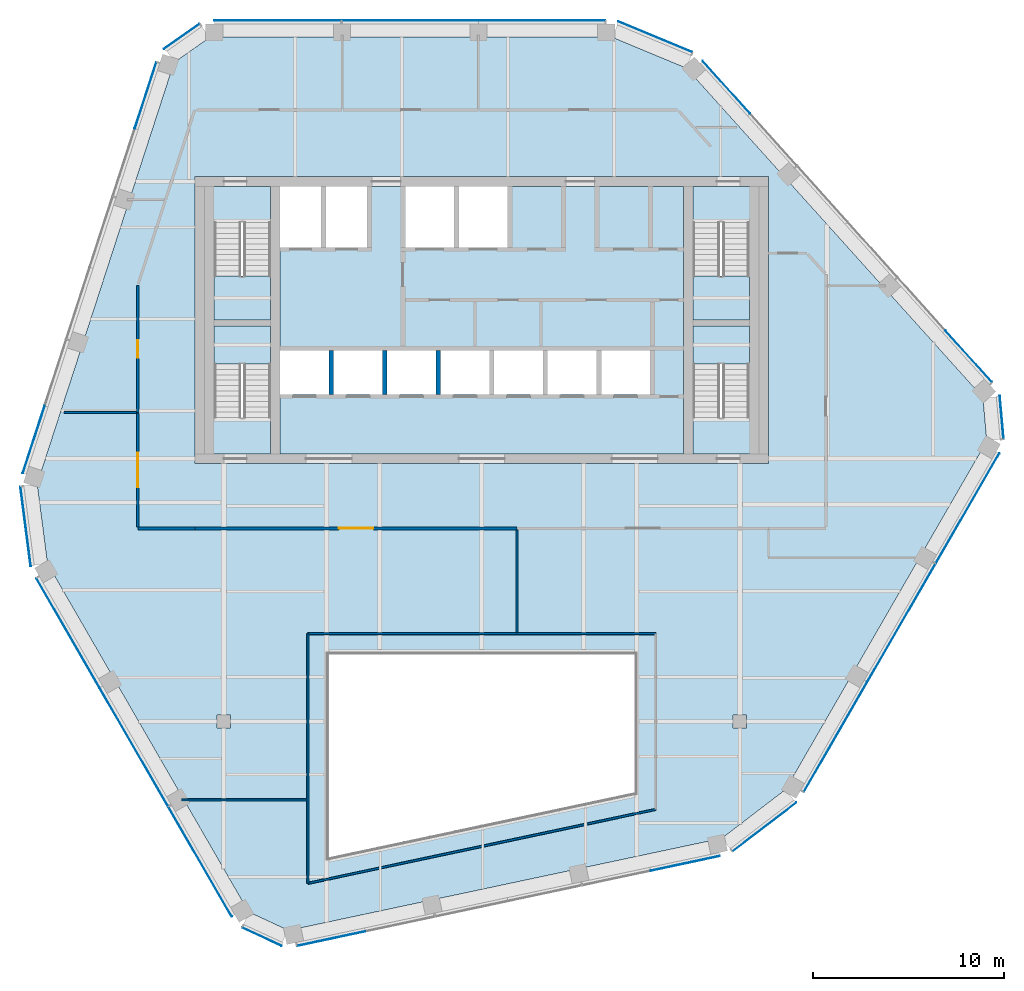
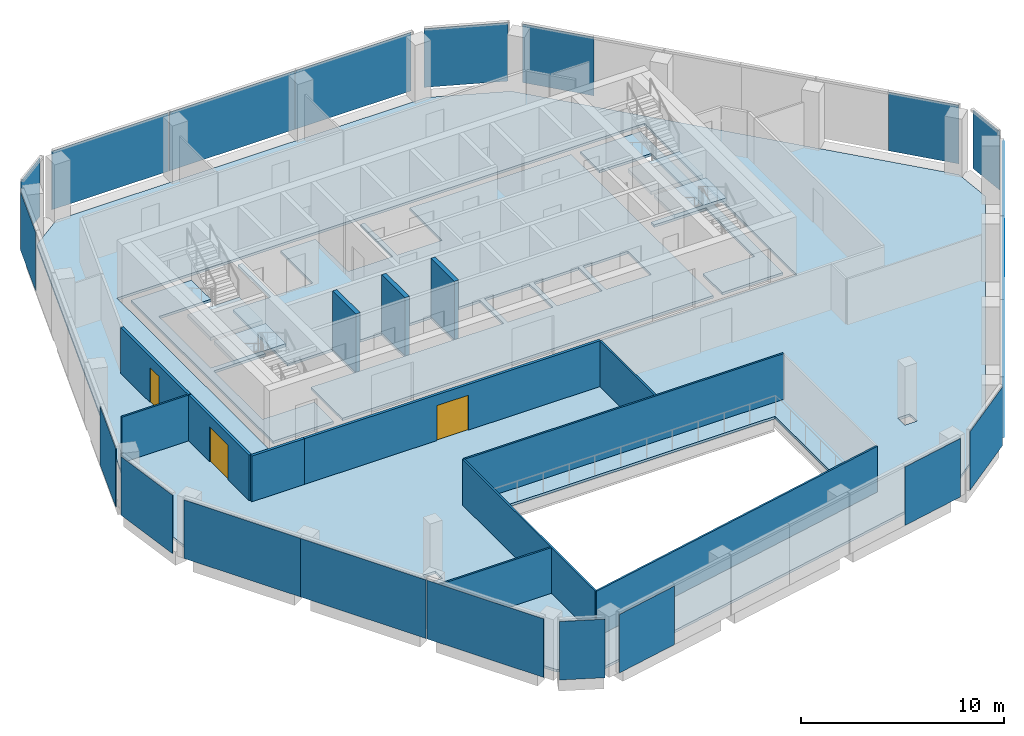
# One storey, part 7 of 15: 21 plates, 13 walls, 8 slabs, 3 doors, 3 openings, 16 elements without a shape of their own.
"""IFC4 building model written with IfcOpenShell, lengths in metres."""

from ifc_helpers import new_model, si_unit, direction, frame, frame_2d, origin, origin_2d, place, context, subcontext, project, spatial, polyline, rectangle, outline, extrude, material, layer, layer_set, type_object, element, fill, aggregate, save


model = new_model("IFC4")

# Units and contexts
model_context = context("Model", 3, precision=1e-05, world=origin(), true_north=direction((0.0, 1.0)))
body_context = subcontext(model_context, "Body", "Model", "MODEL_VIEW")
ifc_project = project(units=[si_unit("LENGTHUNIT", "METRE"), si_unit("AREAUNIT", "SQUARE_METRE"), si_unit("VOLUMEUNIT", "CUBIC_METRE"), si_unit("PLANEANGLEUNIT", "RADIAN"), si_unit("MASSUNIT", "GRAM", prefix="KILO")], contexts=[model_context])

# Site, building, storey
site_placement = place(None, origin())
site = spatial("IfcSite", under=ifc_project, at=site_placement, CompositionType="ELEMENT")
building_placement = place(site_placement, origin())
building = spatial("IfcBuilding", under=site, at=building_placement, Name="Isthmus Gate Tower", CompositionType="ELEMENT")
storey_placement = place(building_placement, frame((0.0, 0.0, 282.85009765625)))
storey = spatial("IfcBuildingStorey", under=building, at=storey_placement, Name="L72", CompositionType="ELEMENT", Elevation=282.85009765625)

# Slabs
ifc_material_1 = material(Name="Concrete f'c 40 MPa", Category="concrete")
ifc_layer_1 = layer(ifc_material_1, 0.14990234375)
ifc_layer_set_1 = layer_set([ifc_layer_1], Name="COMPOSITE FLOOR SLAB 150")
slab_type_1 = type_object("IfcSlabType", Name="COMPOSITE FLOOR SLAB 150", PredefinedType="FLOOR", material=ifc_layer_set_1)
slab_1_placement = place(storey_placement, frame((0.0, 0.0, -0.150146484375)))
element("IfcSlab", 1, at=slab_1_placement, inside=storey, type_object=slab_type_1, Name="str-slab-L72-1", PredefinedType="FLOOR", context=body_context, shape_type="SweptSolid", body=[
    extrude(outline(polyline([(10.7080078125, 20.68310546875), (26.218017578125, 3.45751953125), (26.423583984375, 1.1669921875), (15.902587890625, -17.055908203125), (12.55810546875, -19.614990234375), (-10.11474609375, -24.434326171875), (-12.201171875, -23.467041015625), (-22.72216796875, -5.243896484375), (-23.26611328125, -1.068115234375), (-16.103515625, 20.976806640625), (-14.22265625, 22.300048828125), (6.819580078125, 22.300048828125), (10.7080078125, 20.68310546875)]), holes=[polyline([(-8.0, -10.0), (-8.0, -20.611083984375), (8.0, -17.210205078125), (8.0, -10.0), (-8.0, -10.0)]), polyline([(-13.85009765625, -13.14990234375), (-13.85009765625, -13.85009765625), (-13.14990234375, -13.85009765625), (-13.14990234375, -13.14990234375), (-13.85009765625, -13.14990234375)]), polyline([(13.14990234375, -13.14990234375), (13.14990234375, -13.85009765625), (13.85009765625, -13.85009765625), (13.85009765625, -13.14990234375), (13.14990234375, -13.14990234375)]), polyline([(-15.0, 0.0), (15.0, 0.0), (15.0, 15.0), (-15.0, 15.0), (-15.0, 0.0)])]), origin(), (0.0, 0.0, 1.0), 0.150146484375),
])
ifc_material_2 = material(Name="Concrete f'c 40 MPa", Category="concrete")
ifc_layer_2 = layer(ifc_material_2, 0.14990234375)
ifc_layer_set_2 = layer_set([ifc_layer_2], Name="CORE FLOOR SLAB 150")
slab_type_2 = type_object("IfcSlabType", Name="CORE FLOOR SLAB 150", PredefinedType="FLOOR", material=ifc_layer_set_2)
slab_2_placement = place(storey_placement, frame((0.0, 0.0, -0.150146484375)))
element("IfcSlab", 2, at=slab_2_placement, inside=storey, type_object=slab_type_2, Name="L72 core floor", PredefinedType="FLOOR", context=body_context, shape_type="SweptSolid", body=[
    extrude(outline(polyline([(-11.050048828125, 0.5), (-11.050048828125, 2.402099609375), (-14.0, 2.402099609375), (-14.0, 7.199951171875), (-11.050048828125, 7.199951171875), (-11.050048828125, 7.5), (-14.0, 7.5), (-14.0, 12.597900390625), (-11.050048828125, 12.597900390625), (-11.050048828125, 14.5), (-14.5, 14.5), (-14.5, 0.5), (-11.050048828125, 0.5)])), origin(), (0.0, 0.0, 1.0), 0.150146484375),
])
slab_3_placement = place(storey_placement, frame((0.0, 0.0, -0.150146484375)))
element("IfcSlab", 3, at=slab_3_placement, inside=storey, type_object=slab_type_2, Name="L72 core floor", PredefinedType="FLOOR", context=body_context, shape_type="SweptSolid", body=[
    extrude(outline(polyline([(10.550048828125, 14.5), (1.35009765625, 14.5), (1.35009765625, 11.300048828125), (-1.199951171875, 11.300048828125), (-1.199951171875, 14.5), (-1.449951171875, 14.5), (-1.449951171875, 11.300048828125), (-4.0, 11.300048828125), (-4.0, 14.5), (-6.0, 14.5), (-6.0, 11.300048828125), (-8.14990234375, 11.300048828125), (-8.14990234375, 14.5), (-8.39990234375, 14.5), (-8.39990234375, 11.300048828125), (-10.550048828125, 11.300048828125), (-10.550048828125, 5.89990234375), (-8.0, 5.89990234375), (-8.0, 3.60009765625), (-10.550048828125, 3.60009765625), (-10.550048828125, 0.5), (10.550048828125, 0.5), (10.550048828125, 14.5)]), holes=[polyline([(-5.199951171875, 5.89990234375), (-5.199951171875, 3.60009765625), (-7.75, 3.60009765625), (-7.75, 5.89990234375), (-5.199951171875, 5.89990234375)]), polyline([(-2.39990234375, 5.89990234375), (-2.39990234375, 3.60009765625), (-4.949951171875, 3.60009765625), (-4.949951171875, 5.89990234375), (-2.39990234375, 5.89990234375)]), polyline([(0.39990234375, 5.89990234375), (0.39990234375, 3.60009765625), (-2.14990234375, 3.60009765625), (-2.14990234375, 5.89990234375), (0.39990234375, 5.89990234375)]), polyline([(3.199951171875, 5.89990234375), (3.199951171875, 3.60009765625), (0.64990234375, 3.60009765625), (0.64990234375, 5.89990234375), (3.199951171875, 5.89990234375)]), polyline([(6.0, 5.89990234375), (6.0, 3.60009765625), (3.449951171875, 3.60009765625), (3.449951171875, 5.89990234375), (6.0, 5.89990234375)]), polyline([(8.800048828125, 5.89990234375), (8.800048828125, 3.60009765625), (6.25, 3.60009765625), (6.25, 5.89990234375), (8.800048828125, 5.89990234375)])]), origin(), (0.0, 0.0, 1.0), 0.150146484375),
])
slab_4_placement = place(storey_placement, frame((0.0, 0.0, -0.150146484375)))
element("IfcSlab", 4, at=slab_4_placement, inside=storey, type_object=slab_type_2, Name="L72 core floor", PredefinedType="FLOOR", context=body_context, shape_type="SweptSolid", body=[
    extrude(outline(polyline([(11.050048828125, 14.5), (11.050048828125, 12.597900390625), (14.0, 12.597900390625), (14.0, 7.5), (11.050048828125, 7.5), (11.050048828125, 7.199951171875), (14.0, 7.199951171875), (14.0, 2.402099609375), (11.050048828125, 2.402099609375), (11.050048828125, 0.5), (14.5, 0.5), (14.5, 14.5), (11.050048828125, 14.5)])), origin(), (0.0, 0.0, 1.0), 0.150146484375),
])

# Curtain wall, plates
ifc_material_3 = material(Name="Aluminium, pale champagne anodised", Category="aluminium")
ifc_layer_3 = layer(ifc_material_3, 0.199951171875)
ifc_layer_set_3 = layer_set([ifc_layer_3], Name="CW-1 UNITISED CURTAIN WALL 200 DEEP")
curtain_wall_type = type_object("IfcCurtainWallType", Name="CW-1 UNITISED CURTAIN WALL 200 DEEP", PredefinedType="NOTDEFINED", material=ifc_layer_set_3)
curtain_wall_1_placement = place(storey_placement, origin())
curtain_wall_1 = element("IfcCurtainWall", 5, at=curtain_wall_1_placement, inside=storey, type_object=curtain_wall_type, Name="CW-1 N L72", PredefinedType="NOTDEFINED")
ifc_material_4 = material(Name="Laminated low-iron glass, pale blue tint", Category="glass")
ifc_layer_4 = layer(ifc_material_4, 0.031982421875)
ifc_layer_set_4 = layer_set([ifc_layer_4], Name="CW-1 CLEAR GLASS LITE 32")
plate_type = type_object("IfcPlateType", Name="CW-1 CLEAR GLASS LITE 32", PredefinedType="CURTAIN_PANEL", material=ifc_layer_set_4)
plate_1_placement = place(storey_placement, frame((3.13720703125, 23.18408203125, 0.0), z_axis=(0.0, 0.0, 1.0), x_axis=(-1.0, 0.0, 0.0)))
plate_1 = element("IfcPlate", 6, at=plate_1_placement, type_object=plate_type, Name="CW-1 glass lite", PredefinedType="CURTAIN_PANEL", context=body_context, shape_type="SweptSolid", body=[
    extrude(rectangle(XDim=6.62451171875, YDim=0.031982421875, at=origin_2d()), origin(), (0.0, 0.0, 1.0), 3.52001953125),
])
plate_2_placement = place(storey_placement, frame((-3.742431640625, 23.18408203125, 0.0), z_axis=(0.0, 0.0, 1.0), x_axis=(-1.0, 0.0, 0.0)))
plate_2 = element("IfcPlate", 7, at=plate_2_placement, type_object=plate_type, Name="CW-1 glass lite", PredefinedType="CURTAIN_PANEL", context=body_context, shape_type="SweptSolid", body=[
    extrude(rectangle(XDim=7.134521484375, YDim=0.031982421875, at=origin_2d()), origin(), (0.0, 0.0, 1.0), 3.52001953125),
])
plate_3_placement = place(storey_placement, frame((-10.681884765625, 23.18408203125, 0.0), z_axis=(0.0, 0.0, 1.0), x_axis=(-1.0, 0.0, 0.0)))
plate_3 = element("IfcPlate", 8, at=plate_3_placement, type_object=plate_type, Name="CW-1 glass lite", PredefinedType="CURTAIN_PANEL", context=body_context, shape_type="SweptSolid", body=[
    extrude(rectangle(XDim=6.62451171875, YDim=0.031982421875, at=origin_2d()), origin(), (0.0, 0.0, 1.0), 3.52001953125),
])
aggregate(curtain_wall_1, [plate_1, plate_2, plate_3])

# Curtain wall, plate
curtain_wall_2_placement = place(storey_placement, origin())
curtain_wall_2 = element("IfcCurtainWall", 9, at=curtain_wall_2_placement, inside=storey, type_object=curtain_wall_type, Name="CW-1 N-NW L72", PredefinedType="NOTDEFINED")
plate_4_placement = place(storey_placement, frame((-15.6953125, 22.3447265625, 0.0), z_axis=(0.0, 0.0, 1.0), x_axis=(-0.81785959165, -0.57541783805, 0.0)))
plate_4 = element("IfcPlate", 10, at=plate_4_placement, type_object=plate_type, Name="CW-1 glass lite", PredefinedType="CURTAIN_PANEL", context=body_context, shape_type="SweptSolid", body=[
    extrude(rectangle(XDim=2.258544921875, YDim=0.031982421875, at=origin_2d()), origin(), (0.0, 0.0, 1.0), 3.52001953125),
])
aggregate(curtain_wall_2, [plate_4])

# Curtain wall, plates
curtain_wall_3_placement = place(storey_placement, origin())
curtain_wall_3 = element("IfcCurtainWall", 11, at=curtain_wall_3_placement, inside=storey, type_object=curtain_wall_type, Name="CW-1 NW L72", PredefinedType="NOTDEFINED")
plate_5_placement = place(storey_placement, frame((-17.592529296875, 19.254150390625, 0.0), z_axis=(0.0, 0.0, 1.0), x_axis=(-0.309016994375, -0.951056516295, 0.0)))
plate_5 = element("IfcPlate", 12, at=plate_5_placement, type_object=plate_type, Name="CW-1 glass lite", PredefinedType="CURTAIN_PANEL", context=body_context, shape_type="SweptSolid", body=[
    extrude(rectangle(XDim=3.643310546875, YDim=0.031982421875, at=origin_2d()), origin(), (0.0, 0.0, 1.0), 3.52001953125),
])
plate_6_placement = place(storey_placement, frame((-23.4443359375, 1.244140625, 0.0), z_axis=(0.0, 0.0, 1.0), x_axis=(-0.309016994375, -0.951056516295, 0.0)))
plate_6 = element("IfcPlate", 13, at=plate_6_placement, type_object=plate_type, Name="CW-1 glass lite", PredefinedType="CURTAIN_PANEL", context=body_context, shape_type="SweptSolid", body=[
    extrude(rectangle(XDim=3.703369140625, YDim=0.031982421875, at=origin_2d()), origin(), (0.0, 0.0, 1.0), 3.52001953125),
])
aggregate(curtain_wall_3, [plate_5, plate_6])

# Curtain wall, plate
curtain_wall_4_placement = place(storey_placement, origin())
curtain_wall_4 = element("IfcCurtainWall", 14, at=curtain_wall_4_placement, inside=storey, type_object=curtain_wall_type, Name="CW-1 NW-SW L72", PredefinedType="NOTDEFINED")
plate_7_placement = place(storey_placement, frame((-23.866943359375, -3.2998046875, 0.0), z_axis=(0.0, 0.0, 1.0), x_axis=(0.129164534, -0.991623175988, 0.0)))
plate_7 = element("IfcPlate", 15, at=plate_7_placement, type_object=plate_type, Name="CW-1 glass lite", PredefinedType="CURTAIN_PANEL", context=body_context, shape_type="SweptSolid", body=[
    extrude(rectangle(XDim=4.181396484375, YDim=0.031982421875, at=origin_2d()), origin(), (0.0, 0.0, 1.0), 3.52001953125),
])
aggregate(curtain_wall_4, [plate_7])

# Curtain wall, plates
curtain_wall_5_placement = place(storey_placement, origin())
curtain_wall_5 = element("IfcCurtainWall", 16, at=curtain_wall_5_placement, inside=storey, type_object=curtain_wall_type, Name="CW-1 SW L72", PredefinedType="NOTDEFINED")
plate_8_placement = place(storey_placement, frame((-21.646484375, -8.875244140625, 0.0), z_axis=(0.0, 0.0, 1.0), x_axis=(0.5, -0.866025403784, 0.0)))
plate_8 = element("IfcPlate", 17, at=plate_8_placement, type_object=plate_type, Name="CW-1 glass lite", PredefinedType="CURTAIN_PANEL", context=body_context, shape_type="SweptSolid", body=[
    extrude(rectangle(XDim=6.62451171875, YDim=0.031982421875, at=origin_2d()), origin(), (0.0, 0.0, 1.0), 3.52001953125),
])
plate_9_placement = place(storey_placement, frame((-18.206787109375, -14.8330078125, 0.0), z_axis=(0.0, 0.0, 1.0), x_axis=(0.5, -0.866025403784, 0.0)))
plate_9 = element("IfcPlate", 18, at=plate_9_placement, type_object=plate_type, Name="CW-1 glass lite", PredefinedType="CURTAIN_PANEL", context=body_context, shape_type="SweptSolid", body=[
    extrude(rectangle(XDim=7.134521484375, YDim=0.031982421875, at=origin_2d()), origin(), (0.0, 0.0, 1.0), 3.52001953125),
])
plate_10_placement = place(storey_placement, frame((-14.737060546875, -20.8427734375, 0.0), z_axis=(0.0, 0.0, 1.0), x_axis=(0.5, -0.866025403784, 0.0)))
plate_10 = element("IfcPlate", 19, at=plate_10_placement, type_object=plate_type, Name="CW-1 glass lite", PredefinedType="CURTAIN_PANEL", context=body_context, shape_type="SweptSolid", body=[
    extrude(rectangle(XDim=6.62451171875, YDim=0.031982421875, at=origin_2d()), origin(), (0.0, 0.0, 1.0), 3.52001953125),
])
aggregate(curtain_wall_5, [plate_8, plate_9, plate_10])

# Curtain wall, plate
curtain_wall_6_placement = place(storey_placement, origin())
curtain_wall_6 = element("IfcCurtainWall", 20, at=curtain_wall_6_placement, inside=storey, type_object=curtain_wall_type, Name="CW-1 SW-S L72", PredefinedType="NOTDEFINED")
plate_11_placement = place(storey_placement, frame((-11.50341796875, -24.764892578125, 0.0), z_axis=(0.0, 0.0, 1.0), x_axis=(0.907256261367, -0.420578264073, 0.0)))
plate_11 = element("IfcPlate", 21, at=plate_11_placement, type_object=plate_type, Name="CW-1 glass lite", PredefinedType="CURTAIN_PANEL", context=body_context, shape_type="SweptSolid", body=[
    extrude(rectangle(XDim=2.258544921875, YDim=0.031982421875, at=origin_2d()), origin(), (0.0, 0.0, 1.0), 3.52001953125),
])
aggregate(curtain_wall_6, [plate_11])

# Curtain wall, plates
curtain_wall_7_placement = place(storey_placement, origin())
curtain_wall_7 = element("IfcCurtainWall", 22, at=curtain_wall_7_placement, inside=storey, type_object=curtain_wall_type, Name="CW-1 S L72", PredefinedType="NOTDEFINED")
plate_12_placement = place(storey_placement, frame((-7.87841796875, -24.86279296875, 0.0), z_axis=(0.0, 0.0, 1.0), x_axis=(0.978147600734, 0.207911690818, 0.0)))
plate_12 = element("IfcPlate", 23, at=plate_12_placement, type_object=plate_type, Name="CW-1 glass lite", PredefinedType="CURTAIN_PANEL", context=body_context, shape_type="SweptSolid", body=[
    extrude(rectangle(XDim=3.643310546875, YDim=0.031982421875, at=origin_2d()), origin(), (0.0, 0.0, 1.0), 3.52001953125),
])
plate_13_placement = place(storey_placement, frame((10.644775390625, -20.925537109375, 0.0), z_axis=(0.0, 0.0, 1.0), x_axis=(0.978147600734, 0.207911690818, 0.0)))
plate_13 = element("IfcPlate", 24, at=plate_13_placement, type_object=plate_type, Name="CW-1 glass lite", PredefinedType="CURTAIN_PANEL", context=body_context, shape_type="SweptSolid", body=[
    extrude(rectangle(XDim=3.703369140625, YDim=0.031982421875, at=origin_2d()), origin(), (0.0, 0.0, 1.0), 3.52001953125),
])
aggregate(curtain_wall_7, [plate_12, plate_13])

# Curtain wall, plate
curtain_wall_8_placement = place(storey_placement, origin())
curtain_wall_8 = element("IfcCurtainWall", 25, at=curtain_wall_8_placement, inside=storey, type_object=curtain_wall_type, Name="CW-1 S-SE L72", PredefinedType="NOTDEFINED")
plate_14_placement = place(storey_placement, frame((14.791259765625, -19.01953125, 0.0), z_axis=(0.0, 0.0, 1.0), x_axis=(0.794188594387, 0.607671355706, 0.0)))
plate_14 = element("IfcPlate", 26, at=plate_14_placement, type_object=plate_type, Name="CW-1 glass lite", PredefinedType="CURTAIN_PANEL", context=body_context, shape_type="SweptSolid", body=[
    extrude(rectangle(XDim=4.181396484375, YDim=0.031982421875, at=origin_2d()), origin(), (0.0, 0.0, 1.0), 3.52001953125),
])
aggregate(curtain_wall_8, [plate_14])

# Curtain wall, plates
curtain_wall_9_placement = place(storey_placement, origin())
curtain_wall_9 = element("IfcCurtainWall", 27, at=curtain_wall_9_placement, inside=storey, type_object=curtain_wall_type, Name="CW-1 SE L72", PredefinedType="NOTDEFINED")
plate_15_placement = place(storey_placement, frame((18.50927734375, -14.308837890625, 0.0), z_axis=(0.0, 0.0, 1.0), x_axis=(0.5, 0.866025403784, 0.0)))
plate_15 = element("IfcPlate", 28, at=plate_15_placement, type_object=plate_type, Name="CW-1 glass lite", PredefinedType="CURTAIN_PANEL", context=body_context, shape_type="SweptSolid", body=[
    extrude(rectangle(XDim=6.62451171875, YDim=0.031982421875, at=origin_2d()), origin(), (0.0, 0.0, 1.0), 3.52001953125),
])
plate_16_placement = place(storey_placement, frame((21.94921875, -8.35107421875, 0.0), z_axis=(0.0, 0.0, 1.0), x_axis=(0.5, 0.866025403784, 0.0)))
plate_16 = element("IfcPlate", 29, at=plate_16_placement, type_object=plate_type, Name="CW-1 glass lite", PredefinedType="CURTAIN_PANEL", context=body_context, shape_type="SweptSolid", body=[
    extrude(rectangle(XDim=7.134521484375, YDim=0.031982421875, at=origin_2d()), origin(), (0.0, 0.0, 1.0), 3.52001953125),
])
plate_17_placement = place(storey_placement, frame((25.4189453125, -2.34130859375, 0.0), z_axis=(0.0, 0.0, 1.0), x_axis=(0.5, 0.866025403784, 0.0)))
plate_17 = element("IfcPlate", 30, at=plate_17_placement, type_object=plate_type, Name="CW-1 glass lite", PredefinedType="CURTAIN_PANEL", context=body_context, shape_type="SweptSolid", body=[
    extrude(rectangle(XDim=6.62451171875, YDim=0.031982421875, at=origin_2d()), origin(), (0.0, 0.0, 1.0), 3.52001953125),
])
aggregate(curtain_wall_9, [plate_15, plate_16, plate_17])

# Curtain wall, plate
curtain_wall_10_placement = place(storey_placement, origin())
curtain_wall_10 = element("IfcCurtainWall", 31, at=curtain_wall_10_placement, inside=storey, type_object=curtain_wall_type, Name="CW-1 SE-NE L72", PredefinedType="NOTDEFINED")
plate_18_placement = place(storey_placement, frame((27.19873046875, 2.420166015625, 0.0), z_axis=(0.0, 0.0, 1.0), x_axis=(-0.089396669717, 0.995996102123, 0.0)))
plate_18 = element("IfcPlate", 32, at=plate_18_placement, type_object=plate_type, Name="CW-1 glass lite", PredefinedType="CURTAIN_PANEL", context=body_context, shape_type="SweptSolid", body=[
    extrude(rectangle(XDim=2.258544921875, YDim=0.031982421875, at=origin_2d()), origin(), (0.0, 0.0, 1.0), 3.52001953125),
])
aggregate(curtain_wall_10, [plate_18])

# Curtain wall, plates
curtain_wall_11_placement = place(storey_placement, origin())
curtain_wall_11 = element("IfcCurtainWall", 33, at=curtain_wall_11_placement, inside=storey, type_object=curtain_wall_type, Name="CW-1 NE L72", PredefinedType="NOTDEFINED")
plate_19_placement = place(storey_placement, frame((25.470947265625, 5.6083984375, 0.0), z_axis=(0.0, 0.0, 1.0), x_axis=(-0.669130606359, 0.743144825477, 0.0)))
plate_19 = element("IfcPlate", 34, at=plate_19_placement, type_object=plate_type, Name="CW-1 glass lite", PredefinedType="CURTAIN_PANEL", context=body_context, shape_type="SweptSolid", body=[
    extrude(rectangle(XDim=3.643310546875, YDim=0.031982421875, at=origin_2d()), origin(), (0.0, 0.0, 1.0), 3.52001953125),
])
plate_20_placement = place(storey_placement, frame((12.799560546875, 19.681396484375, 0.0), z_axis=(0.0, 0.0, 1.0), x_axis=(-0.669130606359, 0.743144825477, 0.0)))
plate_20 = element("IfcPlate", 35, at=plate_20_placement, type_object=plate_type, Name="CW-1 glass lite", PredefinedType="CURTAIN_PANEL", context=body_context, shape_type="SweptSolid", body=[
    extrude(rectangle(XDim=3.703369140625, YDim=0.031982421875, at=origin_2d()), origin(), (0.0, 0.0, 1.0), 3.52001953125),
])
aggregate(curtain_wall_11, [plate_19, plate_20])

# Curtain wall, plate
curtain_wall_12_placement = place(storey_placement, origin())
curtain_wall_12 = element("IfcCurtainWall", 36, at=curtain_wall_12_placement, inside=storey, type_object=curtain_wall_type, Name="CW-1 NE-N L72", PredefinedType="NOTDEFINED")
plate_21_placement = place(storey_placement, frame((9.07568359375, 22.3193359375, 0.0), z_axis=(0.0, 0.0, 1.0), x_axis=(-0.923353128387, 0.383951820282, 0.0)))
plate_21 = element("IfcPlate", 37, at=plate_21_placement, type_object=plate_type, Name="CW-1 glass lite", PredefinedType="CURTAIN_PANEL", context=body_context, shape_type="SweptSolid", body=[
    extrude(rectangle(XDim=4.181396484375, YDim=0.031982421875, at=origin_2d()), origin(), (0.0, 0.0, 1.0), 3.52001953125),
])
aggregate(curtain_wall_12, [plate_21])

# Stair, slab
ifc_material_5 = material(Name="Concrete f'c 40 MPa", Category="concrete")
stair_type = type_object("IfcStairType", Name="CORE STAIR 22 RISERS", PredefinedType="HALF_TURN_STAIR", material=ifc_material_5)
stair_1_placement = place(storey_placement, origin())
stair_1 = element("IfcStair", 38, at=stair_1_placement, inside=storey, type_object=stair_type, Name="L72 Exit Stair 1", PredefinedType="HALF_TURN_STAIR")
ifc_material_6 = material(Name="Concrete f'c 40 MPa", Category="concrete")
ifc_layer_5 = layer(ifc_material_6, 0.199951171875)
ifc_layer_set_5 = layer_set([ifc_layer_5])
slab_type_3 = type_object("IfcSlabType", Name="STAIR LANDING RC 200", PredefinedType="LANDING", material=ifc_layer_set_5)
slab_5_placement = place(storey_placement, frame((0.0, 0.0, 1.625)))
slab_5 = element("IfcSlab", 39, at=slab_5_placement, type_object=slab_type_3, Name="ST1 landing 1", PredefinedType="LANDING", context=body_context, shape_type="SweptSolid", body=[
    extrude(outline(polyline([(-14.0, 9.800048828125), (-14.0, 7.5), (-11.050048828125, 7.5), (-11.050048828125, 9.800048828125), (-14.0, 9.800048828125)])), origin(), (0.0, 0.0, 1.0), 0.199951171875),
])
aggregate(stair_1, [slab_5])

stair_2_placement = place(storey_placement, origin())
stair_2 = element("IfcStair", 40, at=stair_2_placement, inside=storey, type_object=stair_type, Name="L72 Exit Stair 2", PredefinedType="HALF_TURN_STAIR")
slab_6_placement = place(storey_placement, frame((0.0, 0.0, 1.625)))
slab_6 = element("IfcSlab", 41, at=slab_6_placement, type_object=slab_type_3, Name="ST2 landing 1", PredefinedType="LANDING", context=body_context, shape_type="SweptSolid", body=[
    extrude(outline(polyline([(11.050048828125, 9.800048828125), (11.050048828125, 7.5), (14.0, 7.5), (14.0, 9.800048828125), (11.050048828125, 9.800048828125)])), origin(), (0.0, 0.0, 1.0), 0.199951171875),
])
aggregate(stair_2, [slab_6])

stair_3_placement = place(storey_placement, origin())
stair_3 = element("IfcStair", 42, at=stair_3_placement, inside=storey, type_object=stair_type, Name="L72 Exit Stair 7", PredefinedType="HALF_TURN_STAIR")
slab_7_placement = place(storey_placement, frame((0.0, 0.0, 1.625)))
slab_7 = element("IfcSlab", 43, at=slab_7_placement, type_object=slab_type_3, Name="ST7 landing 1", PredefinedType="LANDING", context=body_context, shape_type="SweptSolid", body=[
    extrude(outline(polyline([(-11.050048828125, 5.199951171875), (-11.050048828125, 7.199951171875), (-14.0, 7.199951171875), (-14.0, 5.199951171875), (-11.050048828125, 5.199951171875)])), origin(), (0.0, 0.0, 1.0), 0.199951171875),
])
aggregate(stair_3, [slab_7])

stair_4_placement = place(storey_placement, origin())
stair_4 = element("IfcStair", 44, at=stair_4_placement, inside=storey, type_object=stair_type, Name="L72 Exit Stair 8", PredefinedType="HALF_TURN_STAIR")
slab_8_placement = place(storey_placement, frame((0.0, 0.0, 1.625)))
slab_8 = element("IfcSlab", 45, at=slab_8_placement, type_object=slab_type_3, Name="ST8 landing 1", PredefinedType="LANDING", context=body_context, shape_type="SweptSolid", body=[
    extrude(outline(polyline([(14.0, 5.199951171875), (14.0, 7.199951171875), (11.050048828125, 7.199951171875), (11.050048828125, 5.199951171875), (14.0, 5.199951171875)])), origin(), (0.0, 0.0, 1.0), 0.199951171875),
])
aggregate(stair_4, [slab_8])

# Walls
ifc_material_7 = material(Name="Fire-rated laminated glass in steel frame", Category="steel")
ifc_layer_6 = layer(ifc_material_7, 0.10009765625)
ifc_layer_set_6 = layer_set([ifc_layer_6], Name="ATRIUM SCREEN GLAZED WALL 100 120 MIN")
wall_type_1 = type_object("IfcWallType", Name="ATRIUM SCREEN GLAZED WALL 100 120 MIN", PredefinedType="PARTITIONING", material=ifc_layer_set_6)
wall_1_placement = place(storey_placement, frame((-9.10009765625, -8.89990234375, 0.0), z_axis=(0.0, 0.0, 1.0), x_axis=(1.0, 0.0, 0.0)))
element("IfcWall", 46, at=wall_1_placement, inside=storey, type_object=wall_type_1, Name="L72 atrium screen", PredefinedType="PARTITIONING", context=body_context, shape_type="SweptSolid", body=[
    extrude(rectangle(XDim=18.2001953125, YDim=0.10009765625, at=frame_2d((9.10009765625, 0.0))), origin(), (0.0, 0.0, 1.0), 2.75048828125),
])
wall_2_placement = place(storey_placement, frame((9.10009765625, -18.100830078125, 0.0), z_axis=(0.0, 0.0, 1.0), x_axis=(-0.978146710971, -0.207915876778, 0.0)))
element("IfcWall", 47, at=wall_2_placement, inside=storey, type_object=wall_type_1, Name="L72 atrium screen", PredefinedType="PARTITIONING", context=body_context, shape_type="SweptSolid", body=[
    extrude(rectangle(XDim=18.60693359375, YDim=0.10009765625, at=frame_2d((9.303466796875, 0.0))), origin(), (0.0, 0.0, 1.0), 2.75048828125),
])
wall_3_placement = place(storey_placement, frame((-9.10009765625, -21.969482421875, 0.0), z_axis=(0.0, 0.0, 1.0), x_axis=(0.0, 1.0, 0.0)))
element("IfcWall", 48, at=wall_3_placement, inside=storey, type_object=wall_type_1, Name="L72 atrium screen", PredefinedType="PARTITIONING", context=body_context, shape_type="SweptSolid", body=[
    extrude(rectangle(XDim=13.069580078125, YDim=0.10009765625, at=frame_2d((6.53466796875, 0.0))), origin(), (0.0, 0.0, 1.0), 2.75048828125),
])

# Wall, opening, door
ifc_material_8 = material(Name="Gypsum board on steel studs, fire-rated", Category="steel")
ifc_layer_7 = layer(ifc_material_8, 0.14990234375)
ifc_layer_set_7 = layer_set([ifc_layer_7], Name="CORRIDOR WALL 150 60 MIN")
wall_type_2 = type_object("IfcWallType", Name="CORRIDOR WALL 150 60 MIN", PredefinedType="PARTITIONING", material=ifc_layer_set_7)
wall_4_placement = place(storey_placement, frame((1.843994140625, -3.39990234375, 0.0), z_axis=(0.0, 0.0, 1.0), x_axis=(-1.0, 0.0, 0.0)))
wall_4 = element("IfcWall", 49, at=wall_4_placement, inside=storey, type_object=wall_type_2, Name="L72 Corridor Wall 150 60 Min", PredefinedType="PARTITIONING", context=body_context, shape_type="SweptSolid", body=[
    extrude(rectangle(XDim=16.843994140625, YDim=0.14990234375, at=frame_2d((8.421875, 0.0))), origin(), (0.0, 0.0, 1.0), 2.75048828125),
])
opening_1_placement = place(wall_4_placement, frame((7.52197265625, 0.0, 0.0)))
opening_1 = element("IfcOpeningElement", 50, at=opening_1_placement, cuts=wall_4, Name="Opening DT-T6C-07", PredefinedType="OPENING", context=body_context, shape_type="SweptSolid", body=[
    extrude(rectangle(XDim=1.800048828125, YDim=2.10009765625, at=frame_2d((0.89990234375, 1.050048828125))), frame((0.0, 0.0849609375, 0.0), z_axis=(0.0, -1.0, 0.0), x_axis=(1.0, 0.0, 0.0)), (0.0, 0.0, 1.0), 0.169921875),
])
ifc_material_9 = material(Name="Solid core timber door leaf, fire-rated", Category="wood")
door_type_1 = type_object("IfcDoorType", Name="FIRE DOOR ROOM 1800 X 2100 60 MIN", OperationType="DOUBLE_DOOR_DOUBLE_SWING", PredefinedType="DOOR", material=ifc_material_9)
door_1_placement = place(opening_1_placement, origin())
door_1 = element("IfcDoor", 51, at=door_1_placement, inside=storey, type_object=door_type_1, Name="L72 room door", OperationType="DOUBLE_DOOR_DOUBLE_SWING", OverallHeight=2.10009765625, OverallWidth=1.800048828125, PredefinedType="DOOR", context=body_context, shape_type="SweptSolid", body=[
    extrude(rectangle(XDim=1.800048828125, YDim=2.10009765625, at=frame_2d((0.89990234375, 1.050048828125))), frame((0.0, 0.02490234375, 0.0), z_axis=(0.0, -1.0, 0.0), x_axis=(1.0, 0.0, 0.0)), (0.0, 0.0, 1.0), 0.050048828125),
])
fill(opening_1, door_1)

# Wall
wall_5_placement = place(storey_placement, frame((-15.0, -3.39990234375, 0.0), z_axis=(0.0, 0.0, 1.0), x_axis=(-1.0, 0.0, 0.0)))
element("IfcWall", 52, at=wall_5_placement, inside=storey, type_object=wall_type_2, Name="L72 Corridor Wall 150 60 Min", PredefinedType="PARTITIONING", context=body_context, shape_type="SweptSolid", body=[
    extrude(rectangle(XDim=3.0, YDim=0.14990234375, at=frame_2d((1.5, 0.0))), origin(), (0.0, 0.0, 1.0), 2.75048828125),
])

# Wall, opening, door
wall_6_placement = place(storey_placement, frame((-18.0, 2.669921875, 0.0), z_axis=(0.0, 0.0, 1.0), x_axis=(0.0, 1.0, 0.0)))
wall_6 = element("IfcWall", 53, at=wall_6_placement, inside=storey, type_object=wall_type_2, Name="L72 Corridor Wall 150 60 Min", PredefinedType="PARTITIONING", context=body_context, shape_type="SweptSolid", body=[
    extrude(rectangle(XDim=6.64501953125, YDim=0.14990234375, at=frame_2d((3.322509765625, 0.0))), origin(), (0.0, 0.0, 1.0), 2.75048828125),
])
opening_2_placement = place(wall_6_placement, frame((2.87255859375, 0.0, 0.0)))
opening_2 = element("IfcOpeningElement", 54, at=opening_2_placement, cuts=wall_6, Name="Opening DT-T6C-05", PredefinedType="OPENING", context=body_context, shape_type="SweptSolid", body=[
    extrude(rectangle(XDim=0.89990234375, YDim=2.10009765625, at=frame_2d((0.449951171875, 1.050048828125))), frame((0.0, 0.0849609375, 0.0), z_axis=(0.0, -1.0, 0.0), x_axis=(1.0, 0.0, 0.0)), (0.0, 0.0, 1.0), 0.169921875),
])
ifc_material_10 = material(Name="Solid core timber door leaf, fire-rated", Category="wood")
door_type_2 = type_object("IfcDoorType", Name="FIRE DOOR ROOM 900 X 2100 60 MIN", OperationType="SINGLE_SWING_LEFT", PredefinedType="DOOR", material=ifc_material_10)
door_2_placement = place(opening_2_placement, origin())
door_2 = element("IfcDoor", 55, at=door_2_placement, inside=storey, type_object=door_type_2, Name="L72 room door", OperationType="SINGLE_SWING_RIGHT", OverallHeight=2.10009765625, OverallWidth=0.89990234375, PredefinedType="DOOR", context=body_context, shape_type="SweptSolid", body=[
    extrude(rectangle(XDim=0.89990234375, YDim=2.10009765625, at=frame_2d((0.449951171875, 1.050048828125))), frame((0.0, 0.02490234375, 0.0), z_axis=(0.0, -1.0, 0.0), x_axis=(1.0, 0.0, 0.0)), (0.0, 0.0, 1.0), 0.050048828125),
])
fill(opening_2, door_2)

wall_7_placement = place(storey_placement, frame((-18.0, -3.324951171875, 0.0), z_axis=(0.0, 0.0, 1.0), x_axis=(0.0, 1.0, 0.0)))
wall_7 = element("IfcWall", 56, at=wall_7_placement, inside=storey, type_object=wall_type_2, Name="L72 Corridor Wall 150 60 Min", PredefinedType="PARTITIONING", context=body_context, shape_type="SweptSolid", body=[
    extrude(rectangle(XDim=5.945068359375, YDim=0.14990234375, at=frame_2d((2.97265625, 0.0))), origin(), (0.0, 0.0, 1.0), 2.75048828125),
])
opening_3_placement = place(wall_7_placement, frame((2.072509765625, 0.0, 0.0)))
opening_3 = element("IfcOpeningElement", 57, at=opening_3_placement, cuts=wall_7, Name="Opening DT-T6C-08", PredefinedType="OPENING", context=body_context, shape_type="SweptSolid", body=[
    extrude(rectangle(XDim=1.800048828125, YDim=2.10009765625, at=frame_2d((0.89990234375, 1.050048828125))), frame((0.0, 0.0849609375, 0.0), z_axis=(0.0, -1.0, 0.0), x_axis=(1.0, 0.0, 0.0)), (0.0, 0.0, 1.0), 0.169921875),
])
door_3_placement = place(opening_3_placement, origin())
door_3 = element("IfcDoor", 58, at=door_3_placement, inside=storey, type_object=door_type_1, Name="L72 room door", OperationType="DOUBLE_DOOR_DOUBLE_SWING", OverallHeight=2.10009765625, OverallWidth=1.800048828125, PredefinedType="DOOR", context=body_context, shape_type="SweptSolid", body=[
    extrude(rectangle(XDim=1.800048828125, YDim=2.10009765625, at=frame_2d((0.89990234375, 1.050048828125))), frame((0.0, 0.02490234375, 0.0), z_axis=(0.0, -1.0, 0.0), x_axis=(1.0, 0.0, 0.0)), (0.0, 0.0, 1.0), 0.050048828125),
])
fill(opening_3, door_3)

# Walls
ifc_material_11 = material(Name="Gypsum board on steel studs, fire-rated", Category="steel")
ifc_layer_8 = layer(ifc_material_11, 0.10009765625)
ifc_layer_set_8 = layer_set([ifc_layer_8], Name="ROOM PARTITION 100 30 MIN")
wall_type_3 = type_object("IfcWallType", Name="ROOM PARTITION 100 30 MIN", PredefinedType="PARTITIONING", material=ifc_layer_set_8)
wall_8_placement = place(storey_placement, frame((-21.85693359375, 2.669921875, 0.0), z_axis=(0.0, 0.0, 1.0), x_axis=(1.0, 0.0, 0.0)))
element("IfcWall", 59, at=wall_8_placement, inside=storey, type_object=wall_type_3, Name="L72 Room Partition 100 30 Min", PredefinedType="PARTITIONING", context=body_context, shape_type="SweptSolid", body=[
    extrude(rectangle(XDim=3.781982421875, YDim=0.10009765625, at=frame_2d((1.89111328125, 0.0))), origin(), (0.0, 0.0, 1.0), 2.75048828125),
])
wall_9_placement = place(storey_placement, frame((-15.700927734375, -17.60498046875, 0.0), z_axis=(0.0, 0.0, 1.0), x_axis=(1.0, 0.0, 0.0)))
element("IfcWall", 60, at=wall_9_placement, inside=storey, type_object=wall_type_3, Name="L72 Room Partition 100 30 Min", PredefinedType="PARTITIONING", context=body_context, shape_type="SweptSolid", body=[
    extrude(rectangle(XDim=6.551025390625, YDim=0.10009765625, at=frame_2d((3.275390625, 0.0))), origin(), (0.0, 0.0, 1.0), 2.75048828125),
])
wall_10_placement = place(storey_placement, frame((1.843994140625, -8.85009765625, 0.0), z_axis=(0.0, 0.0, 1.0), x_axis=(0.0, 1.0, 0.0)))
element("IfcWall", 61, at=wall_10_placement, inside=storey, type_object=wall_type_3, Name="L72 Room Partition 100 30 Min", PredefinedType="PARTITIONING", context=body_context, shape_type="SweptSolid", body=[
    extrude(rectangle(XDim=5.375, YDim=0.10009765625, at=frame_2d((2.6875, 0.0))), origin(), (0.0, 0.0, 1.0), 2.75048828125),
])
ifc_material_12 = material(Name="Fire-rated blockwork masonry, 15 MPa", Category="masonry")
ifc_layer_9 = layer(ifc_material_12, 0.25)
ifc_layer_set_9 = layer_set([ifc_layer_9], Name="SHAFT WALL 250 120 MIN")
wall_type_4 = type_object("IfcWallType", Name="SHAFT WALL 250 120 MIN", PredefinedType="PARTITIONING", material=ifc_layer_set_9)
for number, where, z_axis, x_axis, name in (
    (62, (-7.875, 3.60009765625, 0.0), (0.0, 0.0, 1.0), (0.0, 1.0, 0.0), "L72 SHAFT WALL 250 120 MIN"),
    (63, (-5.074951171875, 3.60009765625, 0.0), (0.0, 0.0, 1.0), (0.0, 1.0, 0.0), "L72 SHAFT WALL 250 120 MIN"),
    (64, (-2.27490234375, 3.60009765625, 0.0), (0.0, 0.0, 1.0), (0.0, 1.0, 0.0), "L72 SHAFT WALL 250 120 MIN"),
):
    element("IfcWall", number, at=place(storey_placement, frame(where, z_axis=z_axis, x_axis=x_axis)), inside=storey, type_object=wall_type_4, Name=name, PredefinedType="PARTITIONING", context=body_context, shape_type="SweptSolid", body=[
        extrude(rectangle(XDim=2.2998046875, YDim=0.25, at=frame_2d((1.14990234375, 0.0))), origin(), (0.0, 0.0, 1.0), 3.5),
    ])

save(model, "model.ifc")
